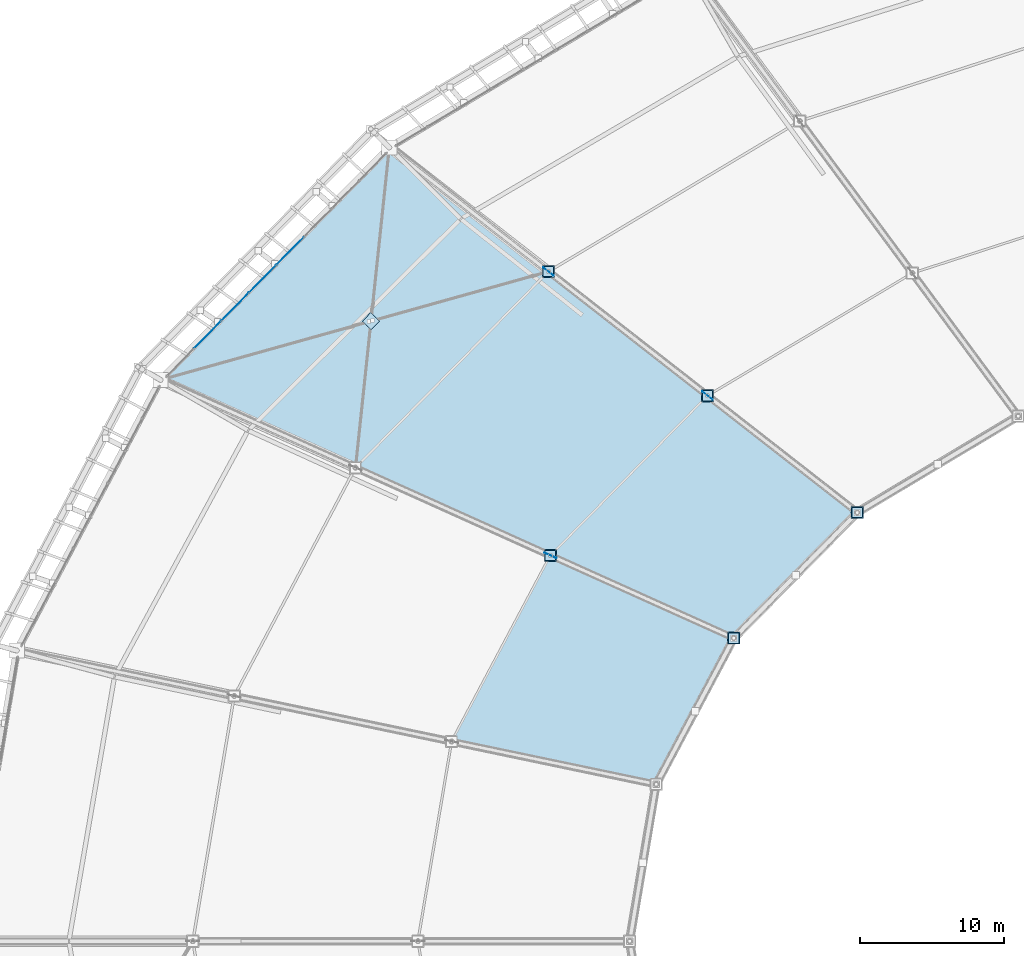
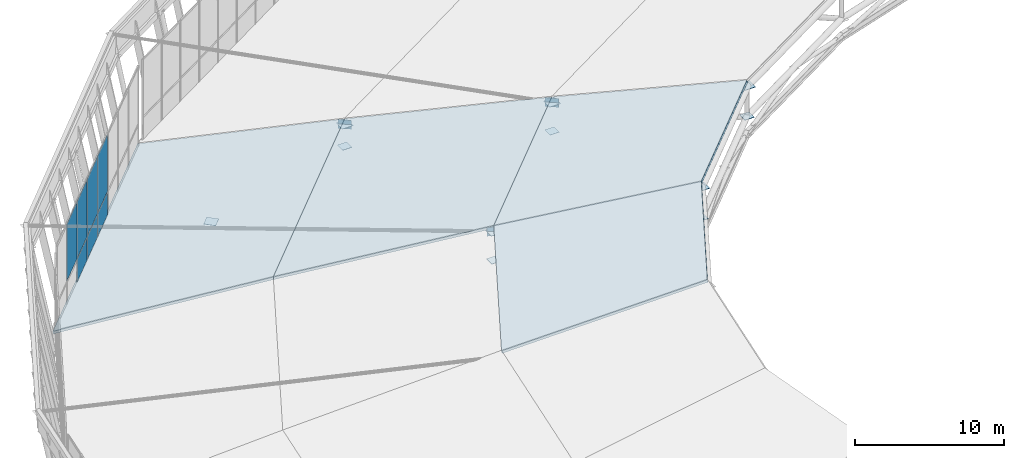
# One storey, part 87 of 115: 21 plates, 4 slabs, 2 elements without a shape of their own.
"""IFC4 building model written with IfcOpenShell, lengths in metres."""

from ifc_helpers import new_model, si_unit, direction, frame, origin, origin_2d, place, context, subcontext, project, spatial, polyline, rectangle, outline, extrude, material, layer, layer_set, type_object, element, aggregate, save


model = new_model("IFC4")

# Units and contexts
model_context = context("Model", 3, precision=1e-05, world=origin(), true_north=direction((0.0, 1.0)))
body_context = subcontext(model_context, "Body", "Model", "MODEL_VIEW")
ifc_project = project(units=[si_unit("LENGTHUNIT", "METRE"), si_unit("AREAUNIT", "SQUARE_METRE"), si_unit("VOLUMEUNIT", "CUBIC_METRE"), si_unit("PLANEANGLEUNIT", "RADIAN"), si_unit("MASSUNIT", "GRAM", prefix="KILO")], contexts=[model_context])

# Site, building, storey
site_placement = place(None, origin())
site = spatial("IfcSite", under=ifc_project, at=site_placement, CompositionType="ELEMENT")
building_placement = place(site_placement, origin())
building = spatial("IfcBuilding", under=site, at=building_placement, Name="Zlatoyarsky Gate Stadium", CompositionType="ELEMENT")
storey_placement = place(building_placement, frame((0.0, 0.0, 31.800048828125)))
storey = spatial("IfcBuildingStorey", under=building, at=storey_placement, Name="RF", CompositionType="ELEMENT", Elevation=31.800048828125)

# Roof, slabs
ifc_material_1 = material(Name="Standing-seam aluminium-zinc roofing with mineral wool insulation", Category="aluminium")
ifc_layer_1 = layer(ifc_material_1, 0.080078125)
ifc_layer_set_1 = layer_set([ifc_layer_1], Name="Standing-seam aluminium-zinc roofing with mineral wool insulation")
roof_type = type_object("IfcRoofType", Name="STADIUM BARREL VAULT ROOF ASSEMBLY", PredefinedType="BARREL_ROOF", material=ifc_layer_set_1)
roof_placement = place(storey_placement, origin())
roof = element("IfcRoof", 1, at=roof_placement, inside=storey, type_object=roof_type, Name="Stadium barrel arch roof sector 4", PredefinedType="BARREL_ROOF")
ifc_material_2 = material(Name="Concrete C40/50", Category="concrete")
ifc_layer_2 = layer(ifc_material_2, 0.199951171875)
ifc_layer_set_2 = layer_set([ifc_layer_2], Name="Concrete C40/50")
slab_type = type_object("IfcSlabType", Name="COMPOSITE STADIUM ROOF DECK SLAB 200", PredefinedType="ROOF", material=ifc_layer_set_2)
slab_1_placement = place(storey_placement, frame((40.269775390625, 135.173828125, 0.199951171875), z_axis=(-0.168948625829, 0.166192117478, 0.971512502194), x_axis=(-0.701266900285, -0.712898824915, 8.8643e-08)))
slab_1 = element("IfcSlab", 2, at=slab_1_placement, type_object=slab_type, Name="Stadium arched roof deck sector 09 bay 1", PredefinedType="ROOF", context=body_context, shape_type="SweptSolid", body=[
    extrude(outline(polyline([(0.0, 0.0), (22.667889468842993, 0.0), (17.5168582679546, 14.346280713684152), (-1.6058824017872195, 14.346296345083728), (0.0, 0.0)])), origin(), (0.0, 0.0, -1.0), 0.199951171875),
])
slab_2_placement = place(storey_placement, frame((51.33203125, 126.544677734375, 3.599853515625), z_axis=(-0.157163436364, 0.154599522261, 0.975396658794), x_axis=(-0.701267503741, -0.712898231304, 1.1819e-07)))
slab_2 = element("IfcSlab", 3, at=slab_2_placement, type_object=slab_type, Name="Stadium arched roof deck sector 09 bay 2", PredefinedType="ROOF", context=body_context, shape_type="SweptSolid", body=[
    extrude(outline(polyline([(0.0, 0.0), (19.122740669748183, 0.0), (13.971697741858534, 14.289147505340267), (-1.6058941288034378, 14.289166108712909), (0.0, 0.0)])), origin(), (0.0, 0.0, -1.0), 0.199951171875),
])
slab_3_placement = place(storey_placement, frame((62.394287109375, 117.91552734375, 6.75), z_axis=(-0.141161010432, 0.138856723893, 0.980200173109), x_axis=(-0.701268194688, -0.712897551629, -1.130846e-06)))
slab_3 = element("IfcSlab", 4, at=slab_3_placement, type_object=slab_type, Name="Stadium arched roof deck sector 09 bay 3", PredefinedType="ROOF", context=body_context, shape_type="SweptSolid", body=[
    extrude(outline(polyline([(0.0, 0.0), (15.577591870662886, 0.0), (10.729505694934321, 13.38278848948377), (-1.5113145713340603, 13.382629616332784), (0.0, 0.0)])), origin(), (0.0, 0.0, -1.0), 0.199951171875),
])
slab_4_placement = place(storey_placement, frame((51.47021484375, 106.810302734375, 6.75), z_axis=(-0.164762027399, 0.087486990583, 0.982445673208), x_axis=(-0.468975230927, -0.883211318302, 1.93843e-07)))
slab_4 = element("IfcSlab", 5, at=slab_4_placement, type_object=slab_type, Name="Stadium arched roof deck sector 10 bay 3", PredefinedType="ROOF", context=body_context, shape_type="SweptSolid", body=[
    extrude(outline(polyline([(0.0, 0.0), (14.642444595230506, 1.7763568394002505e-15), (10.597969750987318, 14.204854700251184), (-0.9079087809841343, 14.204881870937056), (0.0, 0.0)])), origin(), (0.0, 0.0, -1.0), 0.199951171875),
])
aggregate(roof, [slab_1, slab_2, slab_3, slab_4])

# Plates
ifc_material_3 = material(Name="Steel S355", Category="steel")
ifc_layer_3 = layer(ifc_material_3, 0.02392578125)
ifc_layer_set_3 = layer_set([ifc_layer_3], Name="Steel S355")
plate_type_1 = type_object("IfcPlateType", Name="STEEL HOLLOW CHORD SPLICE SHEET 24", PredefinedType="SHEET", material=ifc_layer_set_3)
plate_1_placement = place(storey_placement, frame((51.33203125, 126.544677734375, 3.137939453125), z_axis=(0.0, 0.0, 1.0), x_axis=(1.0, 0.0, 0.0)))
element("IfcPlate", 6, at=plate_1_placement, inside=storey, type_object=plate_type_1, Name="Node closure plate ND-SP1 NCAP-TCH-09-1", PredefinedType="SHEET", context=body_context, shape_type="SweptSolid", body=[
    extrude(rectangle(XDim=0.85009765625, YDim=0.85009765625, at=origin_2d()), origin(), (0.0, 0.0, 1.0), 0.02392578125),
])
plate_2_placement = place(storey_placement, frame((51.33203125, 126.544677734375, 1.337890625), z_axis=(0.0, 0.0, 1.0), x_axis=(1.0, 0.0, 0.0)))
element("IfcPlate", 7, at=plate_2_placement, inside=storey, type_object=plate_type_1, Name="Node closure plate ND-SP1 NCAP-BCH-09-1", PredefinedType="SHEET", context=body_context, shape_type="SweptSolid", body=[
    extrude(rectangle(XDim=0.719970703125, YDim=0.719970703125, at=origin_2d()), origin(), (0.0, 0.0, 1.0), 0.02392578125),
])
plate_3_placement = place(storey_placement, frame((62.394287109375, 117.91552734375, 6.2880859375), z_axis=(0.0, 0.0, 1.0), x_axis=(1.0, 0.0, 0.0)))
element("IfcPlate", 8, at=plate_3_placement, inside=storey, type_object=plate_type_1, Name="Node closure plate ND-SP1 NCAP-TCH-09-2", PredefinedType="SHEET", context=body_context, shape_type="SweptSolid", body=[
    extrude(rectangle(XDim=0.85009765625, YDim=0.85009765625, at=origin_2d()), origin(), (0.0, 0.0, 1.0), 0.02392578125),
])
plate_4_placement = place(storey_placement, frame((62.394287109375, 117.91552734375, 3.93798828125), z_axis=(0.0, 0.0, 1.0), x_axis=(1.0, 0.0, 0.0)))
element("IfcPlate", 9, at=plate_4_placement, inside=storey, type_object=plate_type_1, Name="Node closure plate ND-SP1 NCAP-BCH-09-2", PredefinedType="SHEET", context=body_context, shape_type="SweptSolid", body=[
    extrude(rectangle(XDim=0.719970703125, YDim=0.719970703125, at=origin_2d()), origin(), (0.0, 0.0, 1.0), 0.02392578125),
])
plate_5_placement = place(storey_placement, frame((51.47021484375, 106.810302734375, 6.2880859375), z_axis=(0.0, 0.0, 1.0), x_axis=(1.0, 0.0, 0.0)))
element("IfcPlate", 10, at=plate_5_placement, inside=storey, type_object=plate_type_1, Name="Node closure plate ND-SP1 NCAP-TCH-10-2", PredefinedType="SHEET", context=body_context, shape_type="SweptSolid", body=[
    extrude(rectangle(XDim=0.85009765625, YDim=0.85009765625, at=origin_2d()), origin(), (0.0, 0.0, 1.0), 0.02392578125),
])
plate_6_placement = place(storey_placement, frame((51.47021484375, 106.810302734375, 3.93798828125), z_axis=(0.0, 0.0, 1.0), x_axis=(1.0, 0.0, 0.0)))
element("IfcPlate", 11, at=plate_6_placement, inside=storey, type_object=plate_type_1, Name="Node closure plate ND-SP1 NCAP-BCH-10-2", PredefinedType="SHEET", context=body_context, shape_type="SweptSolid", body=[
    extrude(rectangle(XDim=0.719970703125, YDim=0.719970703125, at=origin_2d()), origin(), (0.0, 0.0, 1.0), 0.02392578125),
])
ifc_layer_4 = layer(ifc_material_3, 0.031982421875)
ifc_layer_set_4 = layer_set([ifc_layer_4], Name="Steel S355")
plate_type_2 = type_object("IfcPlateType", Name="STEEL RADIAL TRUSS GUSSET PLATE 32", PredefinedType="USERDEFINED", material=ifc_layer_set_4)
for number, where, z_axis, x_axis, name in (
    (12, (51.33203125, 126.544677734375, 2.7900390625), (0.0, 0.0, 1.0), (0.788479093296, -0.615061557436, 0.0), "Radial truss gusset plate ND-WB1 09.1"),
    (13, (62.394287109375, 117.91552734375, 5.93994140625), (0.0, 0.0, 1.0), (0.788479093296, -0.615061557436, 0.0), "Radial truss gusset plate ND-WB1 09.2"),
    (14, (51.47021484375, 106.810302734375, 5.93994140625), (0.0, 0.0, 1.0), (0.911795809075, -0.410643887757, 0.0), "Radial truss gusset plate ND-WB1 10.2"),
):
    element("IfcPlate", number, at=place(storey_placement, frame(where, z_axis=z_axis, x_axis=x_axis)), inside=storey, type_object=plate_type_2, Name=name, ObjectType="GUSSET PLATE", PredefinedType="USERDEFINED", context=body_context, shape_type="SweptSolid", body=[
        extrude(rectangle(XDim=0.919921875, YDim=0.031982421875, at=origin_2d()), origin(), (0.0, 0.0, 1.0), 0.719970703125),
    ])
ifc_layer_5 = layer(ifc_material_3, 0.02392578125)
ifc_layer_set_5 = layer_set([ifc_layer_5], Name="Steel S355")
plate_type_3 = type_object("IfcPlateType", Name="STEEL TENSION RING NODE CAP SHEET 24", PredefinedType="SHEET", material=ifc_layer_set_5)
plate_7_placement = place(storey_placement, frame((72.8056640625, 109.7939453125, 8.93798828125), z_axis=(0.0, 0.0, 1.0), x_axis=(1.0, 0.0, 0.0)))
element("IfcPlate", 15, at=plate_7_placement, inside=storey, type_object=plate_type_3, Name="Node closure plate ND-TR1 NCAP-TCH-09-3", PredefinedType="SHEET", context=body_context, shape_type="SweptSolid", body=[
    extrude(rectangle(XDim=0.85009765625, YDim=0.85009765625, at=origin_2d()), origin(), (0.0, 0.0, 1.0), 0.02392578125),
])
plate_8_placement = place(storey_placement, frame((72.8056640625, 109.7939453125, 6.43798828125), z_axis=(0.0, 0.0, 1.0), x_axis=(1.0, 0.0, 0.0)))
element("IfcPlate", 16, at=plate_8_placement, inside=storey, type_object=plate_type_3, Name="Node closure plate ND-TR1 NCAP-BCH-09-3", PredefinedType="SHEET", context=body_context, shape_type="SweptSolid", body=[
    extrude(rectangle(XDim=0.719970703125, YDim=0.719970703125, at=origin_2d()), origin(), (0.0, 0.0, 1.0), 0.02392578125),
])
plate_9_placement = place(storey_placement, frame((64.2216796875, 101.0673828125, 8.93798828125), z_axis=(0.0, 0.0, 1.0), x_axis=(1.0, 0.0, 0.0)))
element("IfcPlate", 17, at=plate_9_placement, inside=storey, type_object=plate_type_3, Name="Node closure plate ND-TR1 NCAP-TCH-10-3", PredefinedType="SHEET", context=body_context, shape_type="SweptSolid", body=[
    extrude(rectangle(XDim=0.85009765625, YDim=0.85009765625, at=origin_2d()), origin(), (0.0, 0.0, 1.0), 0.02392578125),
])
plate_10_placement = place(storey_placement, frame((64.2216796875, 101.0673828125, 6.43798828125), z_axis=(0.0, 0.0, 1.0), x_axis=(1.0, 0.0, 0.0)))
element("IfcPlate", 18, at=plate_10_placement, inside=storey, type_object=plate_type_3, Name="Node closure plate ND-TR1 NCAP-BCH-10-3", PredefinedType="SHEET", context=body_context, shape_type="SweptSolid", body=[
    extrude(rectangle(XDim=0.719970703125, YDim=0.719970703125, at=origin_2d()), origin(), (0.0, 0.0, 1.0), 0.02392578125),
])
ifc_layer_6 = layer(ifc_material_3, 0.02392578125)
ifc_layer_set_6 = layer_set([ifc_layer_6], Name="Steel S355")
plate_type_4 = type_object("IfcPlateType", Name="STEEL X BRACE CROSSING NODE PLATE 24", PredefinedType="USERDEFINED", material=ifc_layer_set_6)
plate_11_placement = place(storey_placement, frame((38.996337890625, 123.0986328125, 1.582275390625), z_axis=(0.0, 0.0, 1.0), x_axis=(-0.701282625266, -0.712883356168, 0.0)))
element("IfcPlate", 19, at=plate_11_placement, inside=storey, type_object=plate_type_4, Name="Roof wind X-brace crossing gusset plate ND-XB1 09", ObjectType="GUSSET PLATE", PredefinedType="USERDEFINED", context=body_context, shape_type="SweptSolid", body=[
    extrude(rectangle(XDim=0.840087890625, YDim=0.840087890625, at=origin_2d()), origin(), (0.0, 0.0, 1.0), 0.02392578125),
])

# Curtain wall, plates
ifc_material_4 = material(Name="Thermally broken anodised aluminium curtain wall", Category="aluminium")
curtain_wall_type = type_object("IfcCurtainWallType", Name="UNITISED SKYBOX RING GLAZING L05", PredefinedType="USERDEFINED", material=ifc_material_4)
curtain_wall_placement = place(storey_placement, origin())
curtain_wall = element("IfcCurtainWall", 20, at=curtain_wall_placement, inside=storey, type_object=curtain_wall_type, Name="Curtain wall CW-RF-09", ObjectType="UNITISED GLAZING", PredefinedType="USERDEFINED")
ifc_material_5 = material(Name="Triple-glazed argon low-e architectural glass", Category="glass")
ifc_layer_7 = layer(ifc_material_5, 0.0380859375)
ifc_layer_set_7 = layer_set([ifc_layer_7], Name="Triple-glazed argon low-e architectural glass")
plate_type_5 = type_object("IfcPlateType", Name="TRIPLE GLAZED LOW E CURTAIN PANEL 38", PredefinedType="CURTAIN_PANEL", material=ifc_layer_set_7)
plate_12_placement = place(storey_placement, frame((33.388916015625, 127.98193359375, 0.06494140625), z_axis=(0.0, 0.0, 1.0), x_axis=(-0.701401848456, -0.712766053473, 0.0)))
plate_12 = element("IfcPlate", 21, at=plate_12_placement, type_object=plate_type_5, Name="CW-UG5 panel 4.1", PredefinedType="CURTAIN_PANEL", context=body_context, shape_type="SweptSolid", body=[
    extrude(rectangle(XDim=2.6640625, YDim=0.0380859375, at=origin_2d()), origin(), (0.0, 0.0, 1.0), 2.052490234375),
])
plate_13_placement = place(storey_placement, frame((33.388916015625, 127.98193359375, 2.1826171875), z_axis=(0.0, 0.0, 1.0), x_axis=(-0.701401848456, -0.712766053473, 0.0)))
plate_13 = element("IfcPlate", 22, at=plate_13_placement, type_object=plate_type_5, Name="CW-UG5 panel 4.2", PredefinedType="CURTAIN_PANEL", context=body_context, shape_type="SweptSolid", body=[
    extrude(rectangle(XDim=2.6640625, YDim=0.0380859375, at=origin_2d()), origin(), (0.0, 0.0, 1.0), 4.652587890625),
])
plate_14_placement = place(storey_placement, frame((31.474853515625, 126.036865234375, 0.06494140625), z_axis=(0.0, 0.0, 1.0), x_axis=(-0.701401848456, -0.712766053473, 0.0)))
plate_14 = element("IfcPlate", 23, at=plate_14_placement, type_object=plate_type_5, Name="CW-UG5 panel 5.1", PredefinedType="CURTAIN_PANEL", context=body_context, shape_type="SweptSolid", body=[
    extrude(rectangle(XDim=2.6640625, YDim=0.0380859375, at=origin_2d()), origin(), (0.0, 0.0, 1.0), 2.052490234375),
])
plate_15_placement = place(storey_placement, frame((31.474853515625, 126.036865234375, 2.1826171875), z_axis=(0.0, 0.0, 1.0), x_axis=(-0.701401848456, -0.712766053473, 0.0)))
plate_15 = element("IfcPlate", 24, at=plate_15_placement, type_object=plate_type_5, Name="CW-UG5 panel 5.2", PredefinedType="CURTAIN_PANEL", context=body_context, shape_type="SweptSolid", body=[
    extrude(rectangle(XDim=2.6640625, YDim=0.0380859375, at=origin_2d()), origin(), (0.0, 0.0, 1.0), 4.652587890625),
])
plate_16_placement = place(storey_placement, frame((29.560546875, 124.091796875, 0.06494140625), z_axis=(0.0, 0.0, 1.0), x_axis=(-0.701401848456, -0.712766053473, 0.0)))
plate_16 = element("IfcPlate", 25, at=plate_16_placement, type_object=plate_type_5, Name="CW-UG5 panel 6.1", PredefinedType="CURTAIN_PANEL", context=body_context, shape_type="SweptSolid", body=[
    extrude(rectangle(XDim=2.6640625, YDim=0.0380859375, at=origin_2d()), origin(), (0.0, 0.0, 1.0), 2.052490234375),
])
plate_17_placement = place(storey_placement, frame((29.560546875, 124.091796875, 2.1826171875), z_axis=(0.0, 0.0, 1.0), x_axis=(-0.701401848456, -0.712766053473, 0.0)))
plate_17 = element("IfcPlate", 26, at=plate_17_placement, type_object=plate_type_5, Name="CW-UG5 panel 6.2", PredefinedType="CURTAIN_PANEL", context=body_context, shape_type="SweptSolid", body=[
    extrude(rectangle(XDim=2.6640625, YDim=0.0380859375, at=origin_2d()), origin(), (0.0, 0.0, 1.0), 4.652587890625),
])
plate_18_placement = place(storey_placement, frame((27.646484375, 122.146484375, 2.1826171875), z_axis=(0.0, 0.0, 1.0), x_axis=(-0.701401848456, -0.712766053473, 0.0)))
plate_18 = element("IfcPlate", 27, at=plate_18_placement, type_object=plate_type_5, Name="CW-UG5 panel 7.2", PredefinedType="CURTAIN_PANEL", context=body_context, shape_type="SweptSolid", body=[
    extrude(rectangle(XDim=2.6640625, YDim=0.0380859375, at=origin_2d()), origin(), (0.0, 0.0, 1.0), 4.652587890625),
])
aggregate(curtain_wall, [plate_12, plate_13, plate_14, plate_15, plate_16, plate_17, plate_18])

save(model, "model.ifc")
